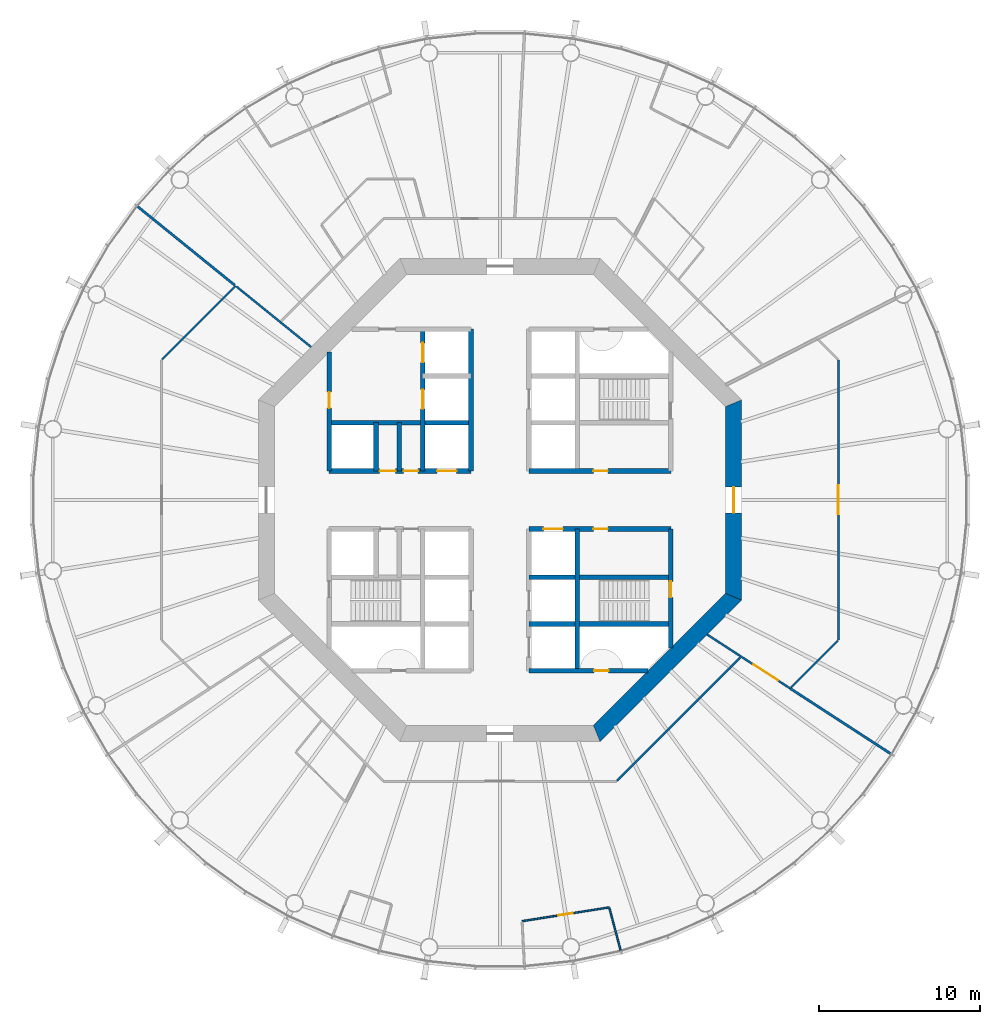
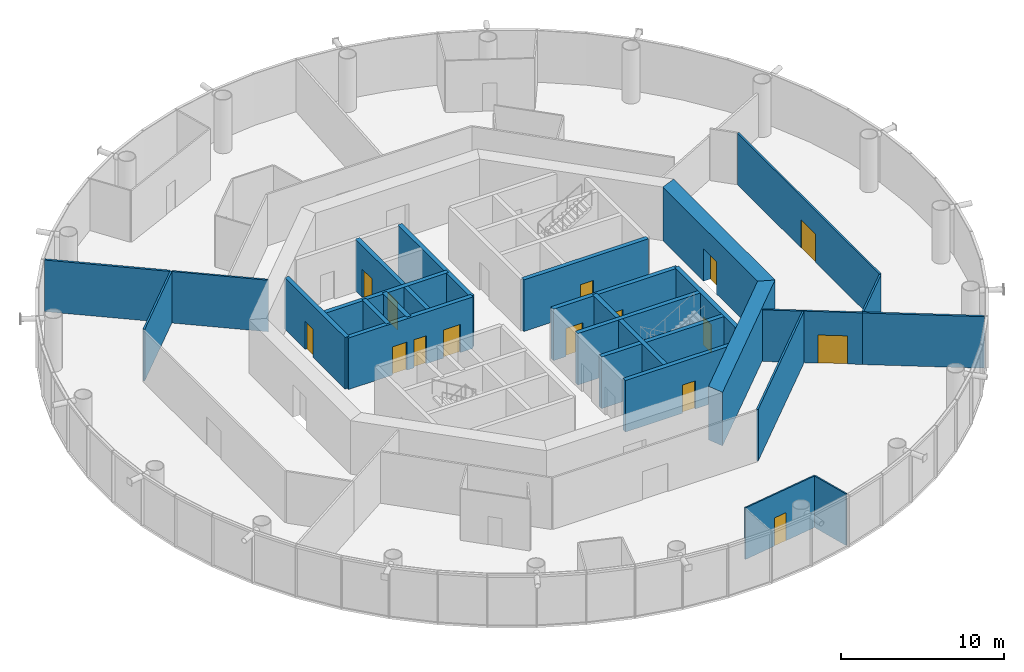
# One storey, part 4 of 17: 26 walls, 15 doors, 15 openings.
"""IFC4 building model written with IfcOpenShell, lengths in metres."""

from ifc_helpers import new_model, si_unit, direction, frame, frame_2d, origin, place, context, subcontext, project, spatial, polyline, rectangle, outline, extrude, material, layer, layer_set, type_object, element, fill, save


model = new_model("IFC4")

# Units and contexts
model_context = context("Model", 3, precision=1e-05, world=origin(), true_north=direction((0.0, 1.0)))
body_context = subcontext(model_context, "Body", "Model", "MODEL_VIEW")
ifc_project = project(units=[si_unit("LENGTHUNIT", "METRE"), si_unit("AREAUNIT", "SQUARE_METRE"), si_unit("VOLUMEUNIT", "CUBIC_METRE"), si_unit("PLANEANGLEUNIT", "RADIAN"), si_unit("MASSUNIT", "GRAM", prefix="KILO")], contexts=[model_context])

# Site, building, storey
site_placement = place(None, origin())
site = spatial("IfcSite", under=ifc_project, at=site_placement, CompositionType="ELEMENT")
building_placement = place(site_placement, origin())
building = spatial("IfcBuilding", under=site, at=building_placement, Name="Entoto Ring Tower", CompositionType="ELEMENT")
storey_placement = place(building_placement, frame((0.0, 0.0, 160.0)))
storey = spatial("IfcBuildingStorey", under=building, at=storey_placement, Name="L36", CompositionType="ELEMENT", Elevation=160.0)

# Wall, opening, door
ifc_material_1 = material(Name="Concrete C40/50", Category="concrete")
ifc_layer_1 = layer(ifc_material_1, 0.300048828125)
ifc_layer_set_1 = layer_set([ifc_layer_1], Name="Concrete C40/50")
wall_type_1 = type_object("IfcWallType", Name="Core enclosure wall 300 mm reinforced concrete", PredefinedType="SOLIDWALL", material=ifc_layer_set_1)
wall_1_placement = place(storey_placement, frame((100.60009765625, 70.801025390625, 0.0), z_axis=(0.0, 0.0, 1.0), x_axis=(0.0, 1.0, 0.0)))
wall_1 = element("IfcWall", 1, at=wall_1_placement, inside=storey, type_object=wall_type_1, Name="wall-L36-001", PredefinedType="SOLIDWALL", context=body_context, shape_type="SweptSolid", body=[
    extrude(rectangle(XDim=7.39892578125, YDim=0.300048828125, at=frame_2d((3.699462890625, 0.0))), origin(), (0.0, 0.0, 1.0), 3.85009765625),
])
opening_1_placement = place(wall_1_placement, frame((3.14892578125, 0.0, 0.0)))
opening_1 = element("IfcOpeningElement", 2, at=opening_1_placement, cuts=wall_1, Name="Opening K-61", PredefinedType="OPENING", context=body_context, shape_type="SweptSolid", body=[
    extrude(rectangle(XDim=1.0, YDim=2.10009765625, at=frame_2d((0.5, 1.050048828125))), frame((0.0, 0.16015625, 0.0), z_axis=(0.0, -1.0, 0.0), x_axis=(1.0, 0.0, 0.0)), (0.0, 0.0, 1.0), 0.320068359375),
])
ifc_material_2 = material(Name="Steel door leaf, fire rated", Category="steel")
ifc_layer_2 = layer(ifc_material_2, 0.050048828125)
ifc_layer_set_2 = layer_set([ifc_layer_2], Name="Steel door leaf, fire rated")
door_type_1 = type_object("IfcDoorType", Name="Fire door FD60 1000 x 2100 single leaf", OperationType="NOTDEFINED", PredefinedType="DOOR", material=ifc_layer_set_2)
door_1_placement = place(opening_1_placement, origin())
door_1 = element("IfcDoor", 3, at=door_1_placement, inside=storey, type_object=door_type_1, Name="Door K-61", OperationType="SINGLE_SWING_RIGHT", OverallHeight=2.10009765625, OverallWidth=1.0, PredefinedType="DOOR", context=body_context, shape_type="SweptSolid", body=[
    extrude(rectangle(XDim=1.0, YDim=2.10009765625, at=frame_2d((0.5, 1.050048828125))), frame((0.0, 0.02490234375, 0.0), z_axis=(0.0, -1.0, 0.0), x_axis=(1.0, 0.0, 0.0)), (0.0, 0.0, 1.0), 0.050048828125),
])
fill(opening_1, door_1)

# Walls
for number, where, z_axis, x_axis, name in (
    (4, (94.800048828125, 69.39990234375, 0.0), (0.0, 0.0, 1.0), (0.0, 1.0, 0.0), "wall-L36-003"),
    (5, (88.199951171875, 81.800048828125, 0.0), (0.0, 0.0, 1.0), (0.0, 1.0, 0.0), "wall-L36-008"),
):
    element("IfcWall", number, at=place(storey_placement, frame(where, z_axis=z_axis, x_axis=x_axis)), inside=storey, type_object=wall_type_1, Name=name, PredefinedType="SOLIDWALL", context=body_context, shape_type="SweptSolid", body=[
        extrude(rectangle(XDim=8.800048828125, YDim=0.300048828125, at=frame_2d((4.39990234375, 0.0))), origin(), (0.0, 0.0, 1.0), 3.85009765625),
    ])

# Wall, openings, doors
wall_2_placement = place(storey_placement, frame((85.199951171875, 81.800048828125, 0.0), z_axis=(0.0, 0.0, 1.0), x_axis=(0.0, 1.0, 0.0)))
wall_2 = element("IfcWall", 6, at=wall_2_placement, inside=storey, type_object=wall_type_1, Name="wall-L36-010", PredefinedType="SOLIDWALL", context=body_context, shape_type="SweptSolid", body=[
    extrude(rectangle(XDim=8.800048828125, YDim=0.300048828125, at=frame_2d((4.39990234375, 0.0))), origin(), (0.0, 0.0, 1.0), 3.85009765625),
])
opening_2_placement = place(wall_2_placement, frame((3.85009765625, 0.0, 0.0)))
opening_2 = element("IfcOpeningElement", 7, at=opening_2_placement, cuts=wall_2, Name="Opening LD", PredefinedType="OPENING", context=body_context, shape_type="SweptSolid", body=[
    extrude(rectangle(XDim=1.199951171875, YDim=2.10009765625, at=frame_2d((0.60009765625, 1.050048828125))), frame((0.0, 0.16015625, 0.0), z_axis=(0.0, -1.0, 0.0), x_axis=(1.0, 0.0, 0.0)), (0.0, 0.0, 1.0), 0.320068359375),
])
opening_3_placement = place(wall_2_placement, frame((6.75, 0.0, 0.0)))
opening_3 = element("IfcOpeningElement", 8, at=opening_3_placement, cuts=wall_2, Name="Opening LD", PredefinedType="OPENING", context=body_context, shape_type="SweptSolid", body=[
    extrude(rectangle(XDim=1.199951171875, YDim=2.10009765625, at=frame_2d((0.60009765625, 1.050048828125))), frame((0.0, 0.16015625, 0.0), z_axis=(0.0, -1.0, 0.0), x_axis=(1.0, 0.0, 0.0)), (0.0, 0.0, 1.0), 0.320068359375),
])
ifc_material_3 = material(Name="Steel and glass door leaf", Category="steel")
ifc_layer_3 = layer(ifc_material_3, 0.050048828125)
ifc_layer_set_3 = layer_set([ifc_layer_3], Name="Steel and glass door leaf")
door_type_2 = type_object("IfcDoorType", Name="Landing door 1200 x 2100 sliding", OperationType="DOUBLE_DOOR_SLIDING", PredefinedType="DOOR", material=ifc_layer_set_3)
door_2_placement = place(opening_2_placement, origin())
door_2 = element("IfcDoor", 9, at=door_2_placement, inside=storey, type_object=door_type_2, Name="Landing door FF1", OperationType="SLIDING_TO_RIGHT", OverallHeight=2.10009765625, OverallWidth=1.199951171875, PredefinedType="DOOR", context=body_context, shape_type="SweptSolid", body=[
    extrude(rectangle(XDim=1.199951171875, YDim=2.10009765625, at=frame_2d((0.60009765625, 1.050048828125))), frame((0.0, 0.02490234375, 0.0), z_axis=(0.0, -1.0, 0.0), x_axis=(1.0, 0.0, 0.0)), (0.0, 0.0, 1.0), 0.050048828125),
])
fill(opening_2, door_2)
door_3_placement = place(opening_3_placement, origin())
door_3 = element("IfcDoor", 10, at=door_3_placement, inside=storey, type_object=door_type_2, Name="Landing door FF2", OperationType="SLIDING_TO_RIGHT", OverallHeight=2.10009765625, OverallWidth=1.199951171875, PredefinedType="DOOR", context=body_context, shape_type="SweptSolid", body=[
    extrude(rectangle(XDim=1.199951171875, YDim=2.10009765625, at=frame_2d((0.60009765625, 1.050048828125))), frame((0.0, 0.02490234375, 0.0), z_axis=(0.0, -1.0, 0.0), x_axis=(1.0, 0.0, 0.0)), (0.0, 0.0, 1.0), 0.050048828125),
])
fill(opening_3, door_3)

# Walls
for number, where, z_axis, x_axis, name in (
    (11, (83.75, 81.800048828125, 0.0), (0.0, 0.0, 1.0), (0.0, 1.0, 0.0), "wall-L36-012"),
    (12, (82.300048828125, 81.800048828125, 0.0), (0.0, 0.0, 1.0), (0.0, 1.0, 0.0), "wall-L36-014"),
):
    element("IfcWall", number, at=place(storey_placement, frame(where, z_axis=z_axis, x_axis=x_axis)), inside=storey, type_object=wall_type_1, Name=name, PredefinedType="SOLIDWALL", context=body_context, shape_type="SweptSolid", body=[
        extrude(rectangle(XDim=3.0, YDim=0.300048828125, at=frame_2d((1.5, 0.0))), origin(), (0.0, 0.0, 1.0), 3.85009765625),
    ])

# Wall, opening, door
wall_3_placement = place(storey_placement, frame((79.39990234375, 81.800048828125, 0.0), z_axis=(0.0, 0.0, 1.0), x_axis=(0.0, 1.0, 0.0)))
wall_3 = element("IfcWall", 13, at=wall_3_placement, inside=storey, type_object=wall_type_1, Name="wall-L36-016", PredefinedType="SOLIDWALL", context=body_context, shape_type="SweptSolid", body=[
    extrude(rectangle(XDim=7.39892578125, YDim=0.300048828125, at=frame_2d((3.699462890625, 0.0))), origin(), (0.0, 0.0, 1.0), 3.85009765625),
])
opening_4_placement = place(wall_3_placement, frame((3.89990234375, 0.0, 0.0)))
opening_4 = element("IfcOpeningElement", 14, at=opening_4_placement, cuts=wall_3, Name="Opening K-23", PredefinedType="OPENING", context=body_context, shape_type="SweptSolid", body=[
    extrude(rectangle(XDim=1.0, YDim=2.10009765625, at=frame_2d((0.5, 1.050048828125))), frame((0.0, 0.16015625, 0.0), z_axis=(0.0, -1.0, 0.0), x_axis=(1.0, 0.0, 0.0)), (0.0, 0.0, 1.0), 0.320068359375),
])
door_4_placement = place(opening_4_placement, frame((1.0, 0.0, 0.0), z_axis=(0.0, 0.0, 1.0), x_axis=(-1.0, 0.0, 0.0)))
door_4 = element("IfcDoor", 15, at=door_4_placement, inside=storey, type_object=door_type_1, Name="Door K-23", OperationType="SINGLE_SWING_RIGHT", OverallHeight=2.10009765625, OverallWidth=1.0, PredefinedType="DOOR", context=body_context, shape_type="SweptSolid", body=[
    extrude(rectangle(XDim=1.0, YDim=2.10009765625, at=frame_2d((0.5, 1.050048828125))), frame((0.0, 0.02490234375, 0.0), z_axis=(0.0, -1.0, 0.0), x_axis=(1.0, 0.0, 0.0)), (0.0, 0.0, 1.0), 0.050048828125),
])
fill(opening_4, door_4)

wall_4_placement = place(storey_placement, frame((91.800048828125, 69.39990234375, 0.0), z_axis=(0.0, 0.0, 1.0), x_axis=(1.0, 0.0, 0.0)))
wall_4 = element("IfcWall", 16, at=wall_4_placement, inside=storey, type_object=wall_type_1, Name="wall-L36-018", PredefinedType="SOLIDWALL", context=body_context, shape_type="SweptSolid", body=[
    extrude(rectangle(XDim=7.39892578125, YDim=0.300048828125, at=frame_2d((3.699462890625, 0.0))), origin(), (0.0, 0.0, 1.0), 3.85009765625),
])
opening_5_placement = place(wall_4_placement, frame((4.050048828125, 0.0, 0.0)))
opening_5 = element("IfcOpeningElement", 17, at=opening_5_placement, cuts=wall_4, Name="Opening K-68", PredefinedType="OPENING", context=body_context, shape_type="SweptSolid", body=[
    extrude(rectangle(XDim=0.89990234375, YDim=2.10009765625, at=frame_2d((0.449951171875, 1.050048828125))), frame((0.0, 0.16015625, 0.0), z_axis=(0.0, -1.0, 0.0), x_axis=(1.0, 0.0, 0.0)), (0.0, 0.0, 1.0), 0.320068359375),
])
ifc_material_4 = material(Name="Steel door leaf, fire rated", Category="steel")
ifc_layer_4 = layer(ifc_material_4, 0.050048828125)
ifc_layer_set_4 = layer_set([ifc_layer_4], Name="Steel door leaf, fire rated")
door_type_3 = type_object("IfcDoorType", Name="Riser door FD60 900 x 2100 single leaf", OperationType="NOTDEFINED", PredefinedType="DOOR", material=ifc_layer_set_4)
door_5_placement = place(opening_5_placement, origin())
door_5 = element("IfcDoor", 18, at=door_5_placement, inside=storey, type_object=door_type_3, Name="Door K-68", OperationType="SINGLE_SWING_LEFT", OverallHeight=2.10009765625, OverallWidth=0.89990234375, PredefinedType="DOOR", context=body_context, shape_type="SweptSolid", body=[
    extrude(rectangle(XDim=0.89990234375, YDim=2.10009765625, at=frame_2d((0.449951171875, 1.050048828125))), frame((0.0, 0.02490234375, 0.0), z_axis=(0.0, -1.0, 0.0), x_axis=(1.0, 0.0, 0.0)), (0.0, 0.0, 1.0), 0.050048828125),
])
fill(opening_5, door_5)

# Walls
for number, where, z_axis, x_axis, name in (
    (19, (91.800048828125, 72.300048828125, 0.0), (0.0, 0.0, 1.0), (1.0, 0.0, 0.0), "wall-L36-020"),
    (20, (91.800048828125, 75.199951171875, 0.0), (0.0, 0.0, 1.0), (1.0, 0.0, 0.0), "wall-L36-022"),
):
    element("IfcWall", number, at=place(storey_placement, frame(where, z_axis=z_axis, x_axis=x_axis)), inside=storey, type_object=wall_type_1, Name=name, PredefinedType="SOLIDWALL", context=body_context, shape_type="SweptSolid", body=[
        extrude(rectangle(XDim=8.800048828125, YDim=0.300048828125, at=frame_2d((4.39990234375, 0.0))), origin(), (0.0, 0.0, 1.0), 3.85009765625),
    ])

# Wall, openings, doors
wall_5_placement = place(storey_placement, frame((91.800048828125, 78.199951171875, 0.0), z_axis=(0.0, 0.0, 1.0), x_axis=(1.0, 0.0, 0.0)))
wall_5 = element("IfcWall", 21, at=wall_5_placement, inside=storey, type_object=wall_type_1, Name="wall-L36-024", PredefinedType="SOLIDWALL", context=body_context, shape_type="SweptSolid", body=[
    extrude(rectangle(XDim=8.800048828125, YDim=0.300048828125, at=frame_2d((4.39990234375, 0.0))), origin(), (0.0, 0.0, 1.0), 3.85009765625),
])
opening_6_placement = place(wall_5_placement, frame((0.89990234375, 0.0, 0.0)))
opening_6 = element("IfcOpeningElement", 22, at=opening_6_placement, cuts=wall_5, Name="Opening LD", PredefinedType="OPENING", context=body_context, shape_type="SweptSolid", body=[
    extrude(rectangle(XDim=1.199951171875, YDim=2.10009765625, at=frame_2d((0.60009765625, 1.050048828125))), frame((0.0, 0.16015625, 0.0), z_axis=(0.0, -1.0, 0.0), x_axis=(1.0, 0.0, 0.0)), (0.0, 0.0, 1.0), 0.320068359375),
])
opening_7_placement = place(wall_5_placement, frame((4.0, 0.0, 0.0)))
opening_7 = element("IfcOpeningElement", 23, at=opening_7_placement, cuts=wall_5, Name="Opening K-12", PredefinedType="OPENING", context=body_context, shape_type="SweptSolid", body=[
    extrude(rectangle(XDim=0.89990234375, YDim=2.10009765625, at=frame_2d((0.449951171875, 1.050048828125))), frame((0.0, 0.16015625, 0.0), z_axis=(0.0, -1.0, 0.0), x_axis=(1.0, 0.0, 0.0)), (0.0, 0.0, 1.0), 0.320068359375),
])
ifc_material_5 = material(Name="Steel door leaf, fire rated", Category="steel")
ifc_layer_5 = layer(ifc_material_5, 0.050048828125)
ifc_layer_set_5 = layer_set([ifc_layer_5], Name="Steel door leaf, fire rated")
door_type_4 = type_object("IfcDoorType", Name="Core door 900 x 2100 single leaf", OperationType="NOTDEFINED", PredefinedType="DOOR", material=ifc_layer_set_5)
door_6_placement = place(opening_7_placement, frame((0.89990234375, 0.0, 0.0), z_axis=(0.0, 0.0, 1.0), x_axis=(-1.0, 0.0, 0.0)))
door_6 = element("IfcDoor", 24, at=door_6_placement, inside=storey, type_object=door_type_4, Name="Door K-12", OperationType="SINGLE_SWING_RIGHT", OverallHeight=2.10009765625, OverallWidth=0.89990234375, PredefinedType="DOOR", context=body_context, shape_type="SweptSolid", body=[
    extrude(rectangle(XDim=0.89990234375, YDim=2.10009765625, at=frame_2d((0.449951171875, 1.050048828125))), frame((0.0, 0.02490234375, 0.0), z_axis=(0.0, -1.0, 0.0), x_axis=(1.0, 0.0, 0.0)), (0.0, 0.0, 1.0), 0.050048828125),
])
fill(opening_7, door_6)
door_7_placement = place(opening_6_placement, origin())
door_7 = element("IfcDoor", 25, at=door_7_placement, inside=storey, type_object=door_type_2, Name="Landing door LB6-MR", OperationType="SLIDING_TO_LEFT", OverallHeight=2.10009765625, OverallWidth=1.199951171875, PredefinedType="DOOR", context=body_context, shape_type="SweptSolid", body=[
    extrude(rectangle(XDim=1.199951171875, YDim=2.10009765625, at=frame_2d((0.60009765625, 1.050048828125))), frame((0.0, 0.02490234375, 0.0), z_axis=(0.0, -1.0, 0.0), x_axis=(1.0, 0.0, 0.0)), (0.0, 0.0, 1.0), 0.050048828125),
])
fill(opening_6, door_7)

wall_6_placement = place(storey_placement, frame((79.39990234375, 81.800048828125, 0.0), z_axis=(0.0, 0.0, 1.0), x_axis=(1.0, 0.0, 0.0)))
wall_6 = element("IfcWall", 26, at=wall_6_placement, inside=storey, type_object=wall_type_1, Name="wall-L36-025", PredefinedType="SOLIDWALL", context=body_context, shape_type="SweptSolid", body=[
    extrude(rectangle(XDim=8.800048828125, YDim=0.300048828125, at=frame_2d((4.39990234375, 0.0))), origin(), (0.0, 0.0, 1.0), 3.85009765625),
])
opening_8_placement = place(wall_6_placement, frame((6.699951171875, 0.0, 0.0)))
opening_8 = element("IfcOpeningElement", 27, at=opening_8_placement, cuts=wall_6, Name="Opening LD", PredefinedType="OPENING", context=body_context, shape_type="SweptSolid", body=[
    extrude(rectangle(XDim=1.199951171875, YDim=2.10009765625, at=frame_2d((0.60009765625, 1.050048828125))), frame((0.0, 0.16015625, 0.0), z_axis=(0.0, -1.0, 0.0), x_axis=(1.0, 0.0, 0.0)), (0.0, 0.0, 1.0), 0.320068359375),
])
opening_9_placement = place(wall_6_placement, frame((3.125, 0.0, 0.0)))
opening_9 = element("IfcOpeningElement", 28, at=opening_9_placement, cuts=wall_6, Name="Opening K-13", PredefinedType="OPENING", context=body_context, shape_type="SweptSolid", body=[
    extrude(rectangle(XDim=1.0, YDim=2.10009765625, at=frame_2d((0.5, 1.050048828125))), frame((0.0, 0.16015625, 0.0), z_axis=(0.0, -1.0, 0.0), x_axis=(1.0, 0.0, 0.0)), (0.0, 0.0, 1.0), 0.320068359375),
])
opening_10_placement = place(wall_6_placement, frame((4.625, 0.0, 0.0)))
opening_10 = element("IfcOpeningElement", 29, at=opening_10_placement, cuts=wall_6, Name="Opening K-14", PredefinedType="OPENING", context=body_context, shape_type="SweptSolid", body=[
    extrude(rectangle(XDim=0.89990234375, YDim=2.10009765625, at=frame_2d((0.449951171875, 1.050048828125))), frame((0.0, 0.16015625, 0.0), z_axis=(0.0, -1.0, 0.0), x_axis=(1.0, 0.0, 0.0)), (0.0, 0.0, 1.0), 0.320068359375),
])
ifc_material_6 = material(Name="Steel door leaf, fire rated", Category="steel")
ifc_layer_6 = layer(ifc_material_6, 0.050048828125)
ifc_layer_set_6 = layer_set([ifc_layer_6], Name="Steel door leaf, fire rated")
door_type_5 = type_object("IfcDoorType", Name="Accessible door 1000 x 2100 single leaf", OperationType="NOTDEFINED", PredefinedType="DOOR", material=ifc_layer_set_6)
door_8_placement = place(opening_9_placement, origin())
door_8 = element("IfcDoor", 30, at=door_8_placement, inside=storey, type_object=door_type_5, Name="Door K-13", OperationType="SINGLE_SWING_RIGHT", OverallHeight=2.10009765625, OverallWidth=1.0, PredefinedType="DOOR", context=body_context, shape_type="SweptSolid", body=[
    extrude(rectangle(XDim=1.0, YDim=2.10009765625, at=frame_2d((0.5, 1.050048828125))), frame((0.0, 0.02490234375, 0.0), z_axis=(0.0, -1.0, 0.0), x_axis=(1.0, 0.0, 0.0)), (0.0, 0.0, 1.0), 0.050048828125),
])
fill(opening_9, door_8)
door_9_placement = place(opening_10_placement, origin())
door_9 = element("IfcDoor", 31, at=door_9_placement, inside=storey, type_object=door_type_4, Name="Door K-14", OperationType="SINGLE_SWING_RIGHT", OverallHeight=2.10009765625, OverallWidth=0.89990234375, PredefinedType="DOOR", context=body_context, shape_type="SweptSolid", body=[
    extrude(rectangle(XDim=0.89990234375, YDim=2.10009765625, at=frame_2d((0.449951171875, 1.050048828125))), frame((0.0, 0.02490234375, 0.0), z_axis=(0.0, -1.0, 0.0), x_axis=(1.0, 0.0, 0.0)), (0.0, 0.0, 1.0), 0.050048828125),
])
fill(opening_10, door_9)
door_10_placement = place(opening_8_placement, origin())
door_10 = element("IfcDoor", 32, at=door_10_placement, inside=storey, type_object=door_type_2, Name="Landing door LB5-MR", OperationType="SLIDING_TO_LEFT", OverallHeight=2.10009765625, OverallWidth=1.199951171875, PredefinedType="DOOR", context=body_context, shape_type="SweptSolid", body=[
    extrude(rectangle(XDim=1.199951171875, YDim=2.10009765625, at=frame_2d((0.60009765625, 1.050048828125))), frame((0.0, 0.02490234375, 0.0), z_axis=(0.0, -1.0, 0.0), x_axis=(1.0, 0.0, 0.0)), (0.0, 0.0, 1.0), 0.050048828125),
])
fill(opening_8, door_10)

# Wall, opening, door
wall_7_placement = place(storey_placement, frame((91.800048828125, 81.800048828125, 0.0), z_axis=(0.0, 0.0, 1.0), x_axis=(1.0, 0.0, 0.0)))
wall_7 = element("IfcWall", 33, at=wall_7_placement, inside=storey, type_object=wall_type_1, Name="wall-L36-026", PredefinedType="SOLIDWALL", context=body_context, shape_type="SweptSolid", body=[
    extrude(rectangle(XDim=8.800048828125, YDim=0.300048828125, at=frame_2d((4.39990234375, 0.0))), origin(), (0.0, 0.0, 1.0), 3.85009765625),
])
opening_11_placement = place(wall_7_placement, frame((4.0, 0.0, 0.0)))
opening_11 = element("IfcOpeningElement", 34, at=opening_11_placement, cuts=wall_7, Name="Opening K-11", PredefinedType="OPENING", context=body_context, shape_type="SweptSolid", body=[
    extrude(rectangle(XDim=0.89990234375, YDim=2.10009765625, at=frame_2d((0.449951171875, 1.050048828125))), frame((0.0, 0.16015625, 0.0), z_axis=(0.0, -1.0, 0.0), x_axis=(1.0, 0.0, 0.0)), (0.0, 0.0, 1.0), 0.320068359375),
])
door_11_placement = place(opening_11_placement, origin())
door_11 = element("IfcDoor", 35, at=door_11_placement, inside=storey, type_object=door_type_4, Name="Door K-11", OperationType="SINGLE_SWING_LEFT", OverallHeight=2.10009765625, OverallWidth=0.89990234375, PredefinedType="DOOR", context=body_context, shape_type="SweptSolid", body=[
    extrude(rectangle(XDim=0.89990234375, YDim=2.10009765625, at=frame_2d((0.449951171875, 1.050048828125))), frame((0.0, 0.02490234375, 0.0), z_axis=(0.0, -1.0, 0.0), x_axis=(1.0, 0.0, 0.0)), (0.0, 0.0, 1.0), 0.050048828125),
])
fill(opening_11, door_11)

# Wall
wall_8_placement = place(storey_placement, frame((79.39990234375, 84.800048828125, 0.0), z_axis=(0.0, 0.0, 1.0), x_axis=(1.0, 0.0, 0.0)))
element("IfcWall", 36, at=wall_8_placement, inside=storey, type_object=wall_type_1, Name="wall-L36-027", PredefinedType="SOLIDWALL", context=body_context, shape_type="SweptSolid", body=[
    extrude(rectangle(XDim=8.800048828125, YDim=0.300048828125, at=frame_2d((4.39990234375, 0.0))), origin(), (0.0, 0.0, 1.0), 3.85009765625),
])

# Wall, opening, door
ifc_material_7 = material(Name="Concrete C50/60", Category="concrete")
ifc_layer_7 = layer(ifc_material_7, 1.0)
ifc_layer_set_7 = layer_set([ifc_layer_7], Name="Concrete C50/60")
wall_type_2 = type_object("IfcWallType", Name="Core shear wall 1000 mm reinforced concrete C50/60", PredefinedType="SHEAR", material=ifc_layer_set_7)
wall_9_placement = place(storey_placement, frame((104.5, 73.993896484375, 0.0), z_axis=(0.0, 0.0, 1.0), x_axis=(0.0, 1.0, 0.0)))
wall_9 = element("IfcWall", 37, at=wall_9_placement, inside=storey, type_object=wall_type_2, Name="wall-L36-core-0", PredefinedType="SHEAR", context=body_context, shape_type="SweptSolid", body=[
    extrude(outline(polyline([(-0.20703125, -0.5), (12.21923828125, -0.5), (11.80517578125, 0.5), (0.20703125, 0.5), (-0.20703125, -0.5)])), origin(), (0.0, 0.0, 1.0), 4.0),
])
opening_12_placement = place(wall_9_placement, frame((5.2060546875, 0.0, 0.0)))
opening_12 = element("IfcOpeningElement", 38, at=opening_12_placement, cuts=wall_9, Name="Opening K-01", PredefinedType="OPENING", context=body_context, shape_type="SweptSolid", body=[
    extrude(rectangle(XDim=1.60009765625, YDim=2.39990234375, at=frame_2d((0.800048828125, 1.199951171875))), frame((0.0, 0.510009765625, 0.0), z_axis=(0.0, -1.0, 0.0), x_axis=(1.0, 0.0, 0.0)), (0.0, 0.0, 1.0), 1.02001953125),
])
ifc_material_8 = material(Name="Steel door leaf, fire rated", Category="steel")
ifc_layer_8 = layer(ifc_material_8, 0.050048828125)
ifc_layer_set_8 = layer_set([ifc_layer_8], Name="Steel door leaf, fire rated")
door_type_6 = type_object("IfcDoorType", Name="Entrance door FD60 1600 x 2400 double leaf", OperationType="DOUBLE_DOOR_SINGLE_SWING", PredefinedType="DOOR", material=ifc_layer_set_8)
door_12_placement = place(opening_12_placement, origin())
door_12 = element("IfcDoor", 39, at=door_12_placement, inside=storey, type_object=door_type_6, Name="Entrance door K-01", OperationType="DOUBLE_DOOR_SINGLE_SWING", OverallHeight=2.39990234375, OverallWidth=1.60009765625, PredefinedType="DOOR", context=body_context, shape_type="SweptSolid", body=[
    extrude(rectangle(XDim=1.60009765625, YDim=2.39990234375, at=frame_2d((0.800048828125, 1.199951171875))), frame((0.0, 0.02490234375, 0.0), z_axis=(0.0, -1.0, 0.0), x_axis=(1.0, 0.0, 0.0)), (0.0, 0.0, 1.0), 0.050048828125),
])
fill(opening_12, door_12)

# Wall
wall_10_placement = place(storey_placement, frame((96.006103515625, 65.5, 0.0), z_axis=(0.0, 0.0, 1.0), x_axis=(0.707106781187, 0.707106781187, 0.0)))
element("IfcWall", 40, at=wall_10_placement, inside=storey, type_object=wall_type_2, Name="wall-L36-core-7", PredefinedType="SHEAR", context=body_context, shape_type="SweptSolid", body=[
    extrude(outline(polyline([(-0.20703125, -0.5), (12.21923828125, -0.5), (11.80517578125, 0.5), (0.20703125, 0.5), (-0.20703125, -0.5)])), origin(), (0.0, 0.0, 1.0), 4.0),
])

# Wall, opening, door
ifc_material_9 = material(Name="Fire-resisting plasterboard on steel studs", Category="steel")
ifc_layer_9 = layer(ifc_material_9, 0.125)
ifc_layer_set_9 = layer_set([ifc_layer_9], Name="Fire-resisting plasterboard on steel studs")
wall_type_3 = type_object("IfcWallType", Name="Corridor wall 125 mm one-hour plasterboard on steel studs", PredefinedType="PARTITIONING", material=ifc_layer_set_9)
wall_11_placement = place(storey_placement, frame((111.0, 71.301513671875, 0.0), z_axis=(0.0, 0.0, 1.0), x_axis=(0.0, 1.0, 0.0)))
wall_11 = element("IfcWall", 41, at=wall_11_placement, inside=storey, type_object=wall_type_3, Name="partition-L36-002", PredefinedType="PARTITIONING", context=body_context, shape_type="SweptSolid", body=[
    extrude(rectangle(XDim=17.39697265625, YDim=0.125, at=frame_2d((8.698486328125, 0.0))), origin(), (0.0, 0.0, 1.0), 3.85009765625),
])
opening_13_placement = place(wall_11_placement, frame((7.798583984375, 0.0, 0.0)))
opening_13 = element("IfcOpeningElement", 42, at=opening_13_placement, cuts=wall_11, Name="Opening A16-D01", PredefinedType="OPENING", context=body_context, shape_type="SweptSolid", body=[
    extrude(rectangle(XDim=1.800048828125, YDim=2.10009765625, at=frame_2d((0.89990234375, 1.050048828125))), frame((0.0, 0.072509765625, 0.0), z_axis=(0.0, -1.0, 0.0), x_axis=(1.0, 0.0, 0.0)), (0.0, 0.0, 1.0), 0.14501953125),
])
ifc_material_10 = material(Name="Fire-resisting timber door set", Category="wood")
door_type_7 = type_object("IfcDoorType", Name="Door 1800 x 2100 double leaf FD30S fire door", OperationType="DOUBLE_DOOR_SINGLE_SWING", PredefinedType="DOOR", material=ifc_material_10)
door_13_placement = place(opening_13_placement, frame((1.800048828125, 0.0, 0.0), z_axis=(0.0, 0.0, 1.0), x_axis=(-1.0, 0.0, 0.0)))
door_13 = element("IfcDoor", 43, at=door_13_placement, inside=storey, type_object=door_type_7, Name="Door A16-D01", OperationType="DOUBLE_DOOR_SINGLE_SWING", OverallHeight=2.10009765625, OverallWidth=1.800048828125, PredefinedType="DOOR", context=body_context, shape_type="SweptSolid", body=[
    extrude(rectangle(XDim=1.800048828125, YDim=2.10009765625, at=frame_2d((0.89990234375, 1.050048828125))), frame((0.0, 0.02490234375, 0.0), z_axis=(0.0, -1.0, 0.0), x_axis=(1.0, 0.0, 0.0)), (0.0, 0.0, 1.0), 0.050048828125),
])
fill(opening_13, door_13)

# Walls
wall_12_placement = place(storey_placement, frame((97.264404296875, 62.568603515625, 0.0), z_axis=(0.0, 0.0, 1.0), x_axis=(0.707095503297, 0.707118058897, 0.0)))
element("IfcWall", 44, at=wall_12_placement, inside=storey, type_object=wall_type_3, Name="partition-L36-007", PredefinedType="PARTITIONING", context=body_context, shape_type="SweptSolid", body=[
    extrude(rectangle(XDim=10.823974609375, YDim=0.125, at=frame_2d((5.412109375, 0.0))), origin(), (0.0, 0.0, 1.0), 3.85009765625),
])
wall_13_placement = place(storey_placement, frame((69.031005859375, 88.7294921875, 0.0), z_axis=(0.0, 0.0, 1.0), x_axis=(0.707106781187, 0.707106781187, 0.0)))
element("IfcWall", 45, at=wall_13_placement, inside=storey, type_object=wall_type_3, Name="partition-L36-009", PredefinedType="PARTITIONING", context=body_context, shape_type="SweptSolid", body=[
    extrude(rectangle(XDim=6.447509765625, YDim=0.125, at=frame_2d((3.2236328125, 0.0))), origin(), (0.0, 0.0, 1.0), 3.85009765625),
])

# Wall, opening, door
wall_14_placement = place(storey_placement, frame((108.005615234375, 68.306884765625, 0.0), z_axis=(0.0, 0.0, 1.0), x_axis=(-0.838658147636, 0.544658160137, 0.0)))
wall_14 = element("IfcWall", 46, at=wall_14_placement, inside=storey, type_object=wall_type_3, Name="partition-L36-012", PredefinedType="PARTITIONING", context=body_context, shape_type="SweptSolid", body=[
    extrude(rectangle(XDim=6.13427734375, YDim=0.125, at=frame_2d((3.067138671875, 0.0))), origin(), (0.0, 0.0, 1.0), 3.85009765625),
])
opening_14_placement = place(wall_14_placement, frame((0.908447265625, 0.0, 0.0)))
opening_14 = element("IfcOpeningElement", 47, at=opening_14_placement, cuts=wall_14, Name="Opening A16-D10", PredefinedType="OPENING", context=body_context, shape_type="SweptSolid", body=[
    extrude(rectangle(XDim=1.800048828125, YDim=2.10009765625, at=frame_2d((0.89990234375, 1.050048828125))), frame((0.0, 0.072509765625, 0.0), z_axis=(0.0, -1.0, 0.0), x_axis=(1.0, 0.0, 0.0)), (0.0, 0.0, 1.0), 0.14501953125),
])
door_14_placement = place(opening_14_placement, frame((1.800048828125, 0.0, 0.0), z_axis=(0.0, 0.0, 1.0), x_axis=(-1.0, 0.0, 0.0)))
door_14 = element("IfcDoor", 48, at=door_14_placement, inside=storey, type_object=door_type_7, Name="Door A16-D10", OperationType="DOUBLE_DOOR_SINGLE_SWING", OverallHeight=2.10009765625, OverallWidth=1.800048828125, PredefinedType="DOOR", context=body_context, shape_type="SweptSolid", body=[
    extrude(rectangle(XDim=1.800048828125, YDim=2.10009765625, at=frame_2d((0.89990234375, 1.050048828125))), frame((0.0, 0.02490234375, 0.0), z_axis=(0.0, -1.0, 0.0), x_axis=(1.0, 0.0, 0.0)), (0.0, 0.0, 1.0), 0.050048828125),
])
fill(opening_14, door_14)

# Walls
wall_15_placement = place(storey_placement, frame((78.278564453125, 89.49169921875, 0.0), z_axis=(0.0, 0.0, 1.0), x_axis=(-0.777137265192, 0.629331129891, 0.0)))
element("IfcWall", 49, at=wall_15_placement, inside=storey, type_object=wall_type_3, Name="partition-L36-013", PredefinedType="PARTITIONING", context=body_context, shape_type="SweptSolid", body=[
    extrude(rectangle(XDim=5.97119140625, YDim=0.125, at=frame_2d((2.985595703125, 0.0))), origin(), (0.0, 0.0, 1.0), 3.85009765625),
])
wall_16_placement = place(storey_placement, frame((108.069091796875, 68.37060546875, 0.0), z_axis=(0.0, 0.0, 1.0), x_axis=(0.707106781187, 0.707106781187, 0.0)))
element("IfcWall", 50, at=wall_16_placement, inside=storey, type_object=wall_type_3, Name="partition-L36-015", PredefinedType="PARTITIONING", context=body_context, shape_type="SweptSolid", body=[
    extrude(rectangle(XDim=4.10107421875, YDim=0.125, at=frame_2d((2.050537109375, 0.0))), origin(), (0.0, 0.0, 1.0), 3.85009765625),
])

# Wall, opening, door
ifc_material_11 = material(Name="Plasterboard on steel studs", Category="steel")
ifc_layer_10 = layer(ifc_material_11, 0.10009765625)
ifc_layer_set_10 = layer_set([ifc_layer_10], Name="Plasterboard on steel studs")
wall_type_4 = type_object("IfcWallType", Name="Partition 100 mm plasterboard on steel studs", PredefinedType="PARTITIONING", material=ifc_layer_set_10)
wall_17_placement = place(storey_placement, frame((91.3701171875, 53.85595703125, 0.0), z_axis=(0.0, 0.0, 1.0), x_axis=(0.987687984114, 0.156436715757, 0.0)))
wall_17 = element("IfcWall", 51, at=wall_17_placement, inside=storey, type_object=wall_type_4, Name="partition-L36-023", PredefinedType="PARTITIONING", context=body_context, shape_type="SweptSolid", body=[
    extrude(rectangle(XDim=5.47314453125, YDim=0.10009765625, at=frame_2d((2.736572265625, 0.0))), origin(), (0.0, 0.0, 1.0), 3.85009765625),
])
opening_15_placement = place(wall_17_placement, frame((2.28662109375, 0.0, 0.0)))
opening_15 = element("IfcOpeningElement", 52, at=opening_15_placement, cuts=wall_17, Name="Opening A16-D13", PredefinedType="OPENING", context=body_context, shape_type="SweptSolid", body=[
    extrude(rectangle(XDim=0.89990234375, YDim=2.10009765625, at=frame_2d((0.449951171875, 1.050048828125))), frame((0.0, 0.06005859375, 0.0), z_axis=(0.0, -1.0, 0.0), x_axis=(1.0, 0.0, 0.0)), (0.0, 0.0, 1.0), 0.1201171875),
])
ifc_material_12 = material(Name="Veneered timber door leaf in timber frame", Category="wood")
door_type_8 = type_object("IfcDoorType", Name="Door 900 x 2100 single leaf timber veneer", OperationType="NOTDEFINED", PredefinedType="DOOR", material=ifc_material_12)
door_15_placement = place(opening_15_placement, frame((0.89990234375, 0.0, 0.0), z_axis=(0.0, 0.0, 1.0), x_axis=(-1.0, 0.0, 0.0)))
door_15 = element("IfcDoor", 53, at=door_15_placement, inside=storey, type_object=door_type_8, Name="Door A16-D13", OperationType="SINGLE_SWING_LEFT", OverallHeight=2.10009765625, OverallWidth=0.89990234375, PredefinedType="DOOR", context=body_context, shape_type="SweptSolid", body=[
    extrude(rectangle(XDim=0.89990234375, YDim=2.10009765625, at=frame_2d((0.449951171875, 1.050048828125))), frame((0.0, 0.02490234375, 0.0), z_axis=(0.0, -1.0, 0.0), x_axis=(1.0, 0.0, 0.0)), (0.0, 0.0, 1.0), 0.050048828125),
])
fill(opening_15, door_15)

# Walls
wall_18_placement = place(storey_placement, frame((97.490234375, 52.046142578125, 0.0), z_axis=(0.0, 0.0, 1.0), x_axis=(-0.258800622967, 0.965930762297, 0.0)))
element("IfcWall", 54, at=wall_18_placement, inside=storey, type_object=wall_type_4, Name="partition-L36-036", PredefinedType="PARTITIONING", context=body_context, shape_type="SweptSolid", body=[
    extrude(rectangle(XDim=2.710205078125, YDim=0.10009765625, at=frame_2d((1.35498046875, 0.0))), origin(), (0.0, 0.0, 1.0), 3.85009765625),
])
ifc_material_13 = material(Name="Fire-resisting acoustic plasterboard on steel studs", Category="steel")
ifc_layer_11 = layer(ifc_material_13, 0.14990234375)
ifc_layer_set_11 = layer_set([ifc_layer_11], Name="Fire-resisting acoustic plasterboard on steel studs")
wall_type_5 = type_object("IfcWallType", Name="Party wall 150 mm one-hour acoustic plasterboard on steel studs", PredefinedType="PARTITIONING", material=ifc_layer_set_11)
wall_19_placement = place(storey_placement, frame((73.53515625, 93.3330078125, 0.0), z_axis=(0.0, 0.0, 1.0), x_axis=(-0.777150269137, 0.629315071471, 0.0)))
element("IfcWall", 55, at=wall_19_placement, inside=storey, type_object=wall_type_5, Name="partition-L36-018", PredefinedType="PARTITIONING", context=body_context, shape_type="SweptSolid", body=[
    extrude(rectangle(XDim=7.75341796875, YDim=0.14990234375, at=frame_2d((3.876708984375, 0.0))), origin(), (0.0, 0.0, 1.0), 3.85009765625),
])
wall_20_placement = place(storey_placement, frame((114.27099609375, 64.238037109375, 0.0), z_axis=(0.0, 0.0, 1.0), x_axis=(-0.838666792269, 0.544644849003, 0.0)))
element("IfcWall", 56, at=wall_20_placement, inside=storey, type_object=wall_type_5, Name="partition-L36-020", PredefinedType="PARTITIONING", context=body_context, shape_type="SweptSolid", body=[
    extrude(rectangle(XDim=7.470703125, YDim=0.14990234375, at=frame_2d((3.7353515625, 0.0))), origin(), (0.0, 0.0, 1.0), 3.85009765625),
])

save(model, "model.ifc")
